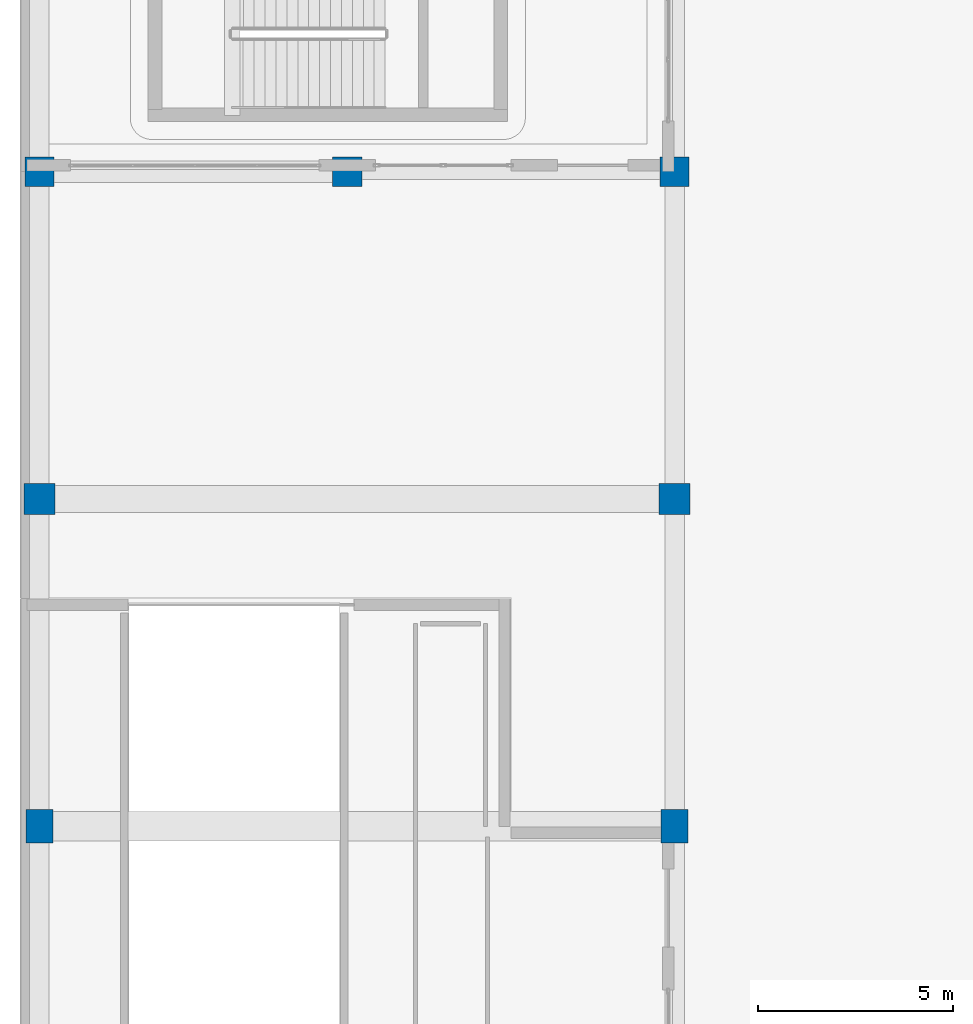
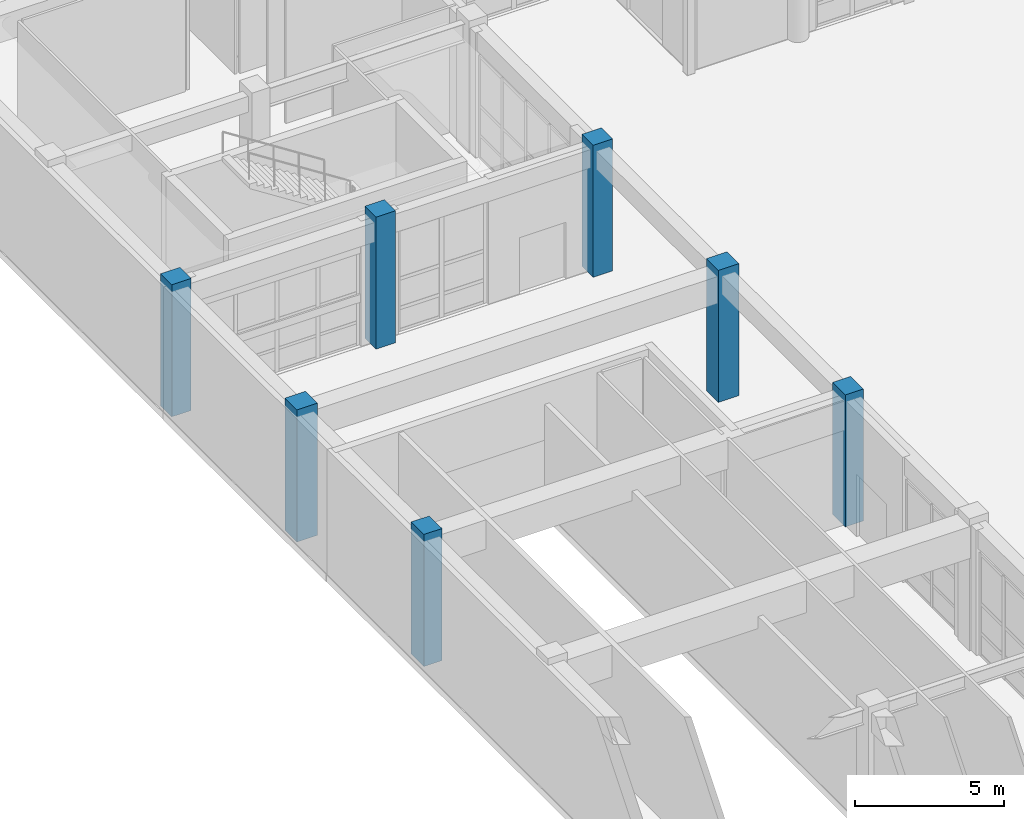
# One storey, part 3 of 148: 7 columns.
"""IFC4 building model written with IfcOpenShell, lengths in metres."""

from ifc_helpers import new_model, si_unit, direction, frame, origin, origin_2d, place, context, subcontext, project, spatial, rectangle, extrude, material, material_profile, profile_set, type_object, element, save


model = new_model("IFC4")

# Units and contexts
model_context = context("Model", 3, precision=1e-05, world=origin(), true_north=direction((0.0, 1.0)))
body_context = subcontext(model_context, "Body", "Model", "MODEL_VIEW")
ifc_project = project(units=[si_unit("LENGTHUNIT", "METRE"), si_unit("AREAUNIT", "SQUARE_METRE"), si_unit("VOLUMEUNIT", "CUBIC_METRE"), si_unit("PLANEANGLEUNIT", "RADIAN"), si_unit("MASSUNIT", "GRAM", prefix="KILO")], contexts=[model_context])

# Site, building, storey
site_placement = place(None, origin())
site = spatial("IfcSite", under=ifc_project, at=site_placement, CompositionType="ELEMENT")
building_placement = place(site_placement, origin())
building = spatial("IfcBuilding", under=site, at=building_placement, Name="Quendrovan Civic Courthouse", CompositionType="ELEMENT")
storey_placement = place(building_placement, origin())
storey = spatial("IfcBuildingStorey", under=building, at=storey_placement, Name="L01", CompositionType="ELEMENT", Elevation=0.0)

# Columns
ifc_material_1 = material(Name="Concrete C40/50", Category="concrete")
ifc_material_profile_1 = material_profile(ifc_material_1, rectangle(XDim=0.699951171875, YDim=0.85009765625, at=origin_2d()), Name="RC-COL-700x850")
ifc_profile_set_1 = profile_set([ifc_material_profile_1], Name="Concrete C40/50")
column_type_1 = type_object("IfcColumnType", Name="COL-RC-700x850", PredefinedType="COLUMN", material=ifc_profile_set_1)
for number, where, z_axis, x_axis, name in (
    (1, (0.5, 39.60009765625, 0.0), (0.0, 0.0, 1.0), (1.0, 0.0, 0.0), "L01 Column 1-F"),
    (2, (16.800048828125, 39.60009765625, 0.0), (0.0, 0.0, 1.0), (1.0, 0.0, 0.0), "L01 Column 3-F"),
):
    element("IfcColumn", number, at=place(storey_placement, frame(where, z_axis=z_axis, x_axis=x_axis)), inside=storey, type_object=column_type_1, Name=name, PredefinedType="COLUMN", context=body_context, shape_type="SweptSolid", body=[
        extrude(rectangle(XDim=0.699951171875, YDim=0.85009765625, at=origin_2d()), origin(), (0.0, 0.0, 1.0), 5.39990234375),
    ])
ifc_material_2 = material(Name="Concrete C45/55", Category="concrete")
ifc_material_profile_2 = material_profile(ifc_material_2, rectangle(XDim=0.75, YDim=0.75, at=origin_2d()), Name="RC-COL-750x750")
ifc_profile_set_2 = profile_set([ifc_material_profile_2], Name="Concrete C45/55")
column_type_2 = type_object("IfcColumnType", Name="COL-RC750", PredefinedType="COLUMN", material=ifc_profile_set_2)
for number, where, z_axis, x_axis, name in (
    (3, (0.5, 56.39990234375, 0.0), (0.0, 0.0, 1.0), (1.0, 0.0, 0.0), "L01 Column 1-H"),
    (4, (8.39990234375, 56.39990234375, 0.0), (0.0, 0.0, 1.0), (1.0, 0.0, 0.0), "L01 Column 2-H"),
    (5, (16.800048828125, 56.39990234375, 0.0), (0.0, 0.0, 1.0), (1.0, 0.0, 0.0), "L01 Column 3-H"),
):
    element("IfcColumn", number, at=place(storey_placement, frame(where, z_axis=z_axis, x_axis=x_axis)), inside=storey, type_object=column_type_2, Name=name, PredefinedType="COLUMN", context=body_context, shape_type="SweptSolid", body=[
        extrude(rectangle(XDim=0.75, YDim=0.75, at=origin_2d()), origin(), (0.0, 0.0, 1.0), 5.39990234375),
    ])
ifc_material_profile_3 = material_profile(ifc_material_2, rectangle(XDim=0.800048828125, YDim=0.800048828125, at=origin_2d()), Name="RC-COL-800x800")
ifc_profile_set_3 = profile_set([ifc_material_profile_3], Name="Concrete C45/55")
column_type_3 = type_object("IfcColumnType", Name="COL-RC800", PredefinedType="COLUMN", material=ifc_profile_set_3)
for number, where, z_axis, x_axis, name in (
    (6, (0.5, 48.0, 0.0), (0.0, 0.0, 1.0), (1.0, 0.0, 0.0), "L01 Column 1-G"),
    (7, (16.800048828125, 48.0, 0.0), (0.0, 0.0, 1.0), (1.0, 0.0, 0.0), "L01 Column 3-G"),
):
    element("IfcColumn", number, at=place(storey_placement, frame(where, z_axis=z_axis, x_axis=x_axis)), inside=storey, type_object=column_type_3, Name=name, PredefinedType="COLUMN", context=body_context, shape_type="SweptSolid", body=[
        extrude(rectangle(XDim=0.800048828125, YDim=0.800048828125, at=origin_2d()), origin(), (0.0, 0.0, 1.0), 5.39990234375),
    ])

save(model, "model.ifc")
